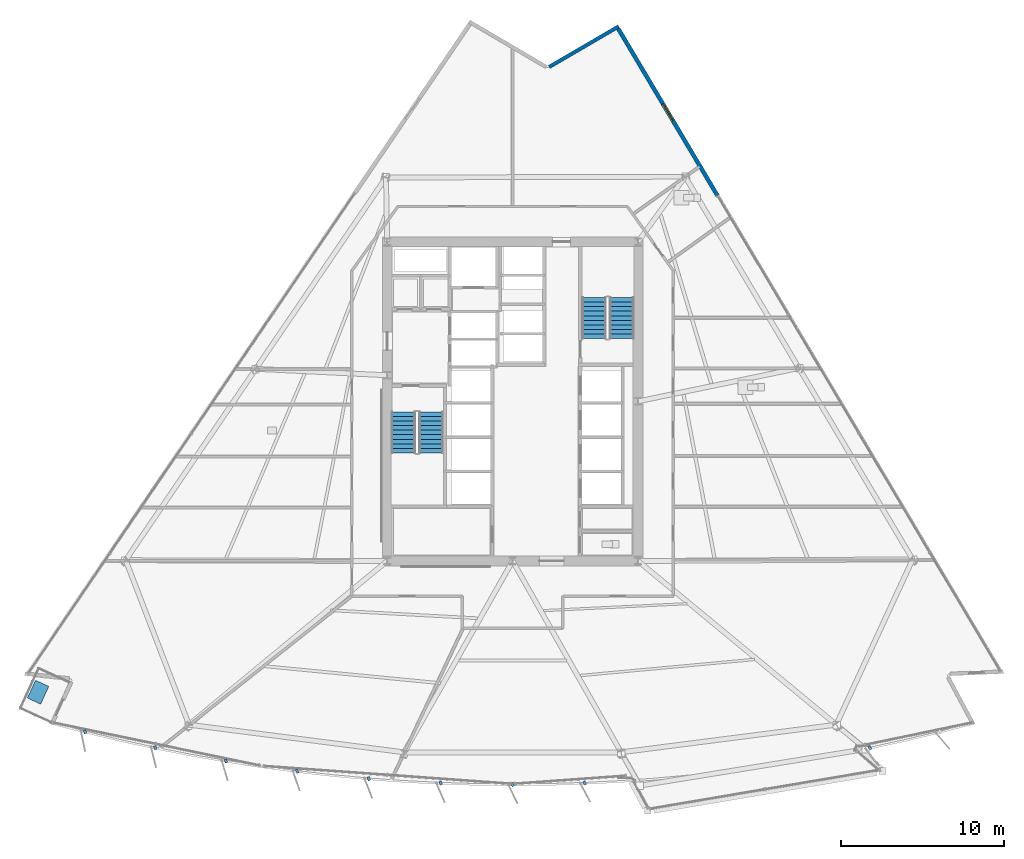
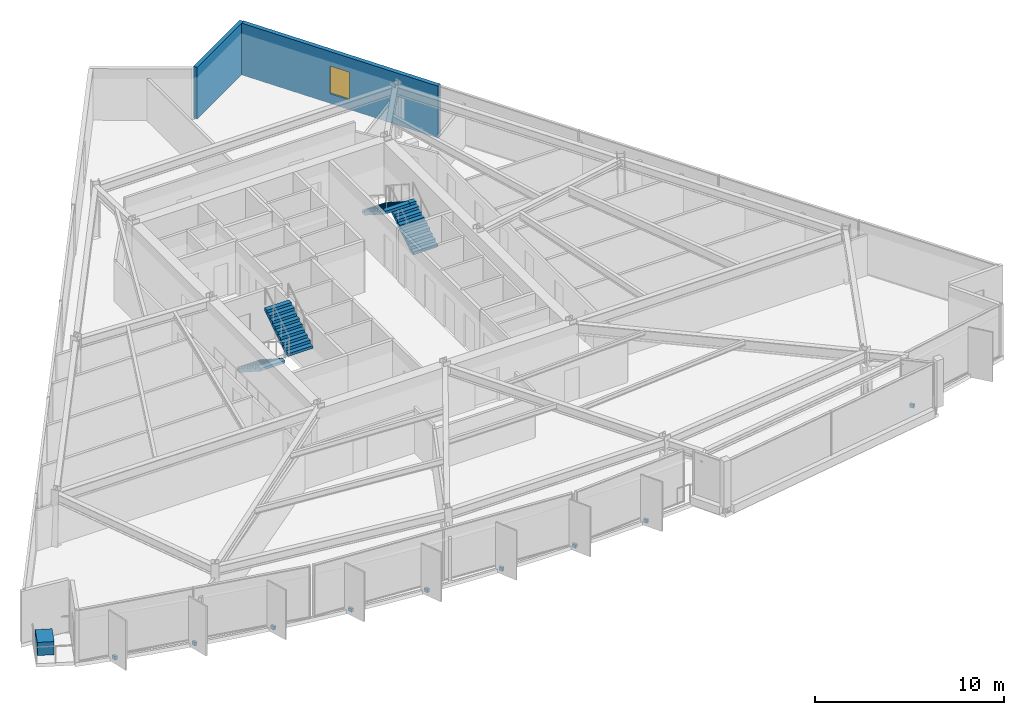
# One storey, part 11 of 18: 10 discrete accessories, 4 stair flights, 2 walls, 1 window, 1 opening, 2 elements without a shape of their own.
"""IFC4 building model written with IfcOpenShell, lengths in metres."""

from ifc_helpers import new_model, si_unit, direction, frame, frame_2d, origin, origin_2d, place, context, subcontext, project, spatial, polyline, rectangle, outline, extrude, material, layer, layer_set, type_object, element, fill, aggregate, save


model = new_model("IFC4")

# Units and contexts
model_context = context("Model", 3, precision=1e-05, world=origin(), true_north=direction((0.0, 1.0)))
body_context = subcontext(model_context, "Body", "Model", "MODEL_VIEW")
ifc_project = project(units=[si_unit("LENGTHUNIT", "METRE"), si_unit("AREAUNIT", "SQUARE_METRE"), si_unit("VOLUMEUNIT", "CUBIC_METRE"), si_unit("PLANEANGLEUNIT", "RADIAN"), si_unit("MASSUNIT", "GRAM", prefix="KILO")], contexts=[model_context])

# Site, building, storey
site_placement = place(None, origin())
site = spatial("IfcSite", under=ifc_project, at=site_placement, CompositionType="ELEMENT")
building_placement = place(site_placement, origin())
building = spatial("IfcBuilding", under=site, at=building_placement, Name="Savorim Split Tower", CompositionType="ELEMENT")
storey_placement = place(building_placement, frame((0.0, 0.0, 48.0)))
storey = spatial("IfcBuildingStorey", under=building, at=storey_placement, Name="L12", CompositionType="ELEMENT", Elevation=48.0)

# Wall
ifc_material_1 = material(Name="Precast concrete C40/50", Category="concrete")
ifc_layer_1 = layer(ifc_material_1, 0.219970703125)
ifc_layer_set_1 = layer_set([ifc_layer_1], Name="WAL-EXT-CRN220")
wall_type_1 = type_object("IfcWallType", Name="WAL-EXT-CRN220", PredefinedType="SOLIDWALL", material=ifc_layer_set_1)
wall_1_placement = place(storey_placement, frame((2.2451171875, 20.9248046875, 0.0), z_axis=(0.0, 0.0, 1.0), x_axis=(0.863967641515, 0.503547330858, 0.0)))
element("IfcWall", 1, at=wall_1_placement, inside=storey, type_object=wall_type_1, Name="L12 Notched Corner Facade Wall NE1", PredefinedType="SOLIDWALL", context=body_context, shape_type="SweptSolid", body=[
    extrude(rectangle(XDim=4.924560546875, YDim=0.219970703125, at=frame_2d((2.46240234375, 0.0))), origin(), (0.0, 0.0, 1.0), 3.35009765625),
])

# Wall, opening, window
ifc_layer_2 = layer(ifc_material_1, 0.25)
ifc_layer_set_2 = layer_set([ifc_layer_2], Name="WAL-EXT-SPN250")
wall_type_2 = type_object("IfcWallType", Name="WAL-EXT-SPN250", PredefinedType="SOLIDWALL", material=ifc_layer_set_2)
wall_2_placement = place(storey_placement, frame((6.483154296875, 23.278076171875, 0.0), z_axis=(0.0, 0.0, 1.0), x_axis=(0.511086421046, -0.859529330635, 0.0)))
wall_2 = element("IfcWall", 2, at=wall_2_placement, inside=storey, type_object=wall_type_2, Name="L12 East Operable Window Pier", PredefinedType="SOLIDWALL", context=body_context, shape_type="SweptSolid", body=[
    extrude(rectangle(XDim=11.93505859375, YDim=0.25, at=frame_2d((5.967529296875, 0.0))), origin(), (0.0, 0.0, 1.0), 3.35009765625),
])
opening_placement = place(wall_2_placement, frame((5.36767578125, 0.0, 0.6201171875)))
opening = element("IfcOpeningElement", 3, at=opening_placement, cuts=wall_2, Name="Opening WN-08", PredefinedType="OPENING", context=body_context, shape_type="SweptSolid", body=[
    extrude(rectangle(XDim=1.199951171875, YDim=1.800048828125, at=frame_2d((0.60009765625, 0.89990234375))), frame((0.0, 0.135009765625, 0.0), z_axis=(0.0, -1.0, 0.0), x_axis=(1.0, 0.0, 0.0)), (0.0, 0.0, 1.0), 0.27001953125),
])
ifc_material_2 = material(Name="Low-E Operable Double Glazing", Category="glass")
window_type = type_object("IfcWindowType", Name="WIN-TWR-1200x1800", PartitioningType="SINGLE_PANEL", PredefinedType="WINDOW", material=ifc_material_2)
window_placement = place(opening_placement, origin())
window = element("IfcWindow", 4, at=window_placement, inside=storey, type_object=window_type, Name="L12 East Operable Ventilation Window", OverallHeight=1.800048828125, OverallWidth=1.199951171875, PartitioningType="SINGLE_PANEL", PredefinedType="WINDOW", context=body_context, shape_type="SweptSolid", body=[
    extrude(rectangle(XDim=1.199951171875, YDim=1.800048828125, at=frame_2d((0.60009765625, 0.89990234375))), frame((0.0, 0.030029296875, 0.0), z_axis=(0.0, -1.0, 0.0), x_axis=(1.0, 0.0, 0.0)), (0.0, 0.0, 1.0), 0.06005859375),
])
fill(opening, window)

# Stair, stair flights
ifc_material_3 = material(Name="Concrete C50/60", Category="concrete")
stair_type = type_object("IfcStairType", Name="STR-DOG-3600", PredefinedType="HALF_TURN_STAIR", material=ifc_material_3)
stair_1_placement = place(storey_placement, origin())
stair_1 = element("IfcStair", 5, at=stair_1_placement, inside=storey, type_object=stair_type, Name="L12 Core Protected Exit Stair ST-1", PredefinedType="HALF_TURN_STAIR")
stair_flight_type = type_object("IfcStairFlightType", Name="SFL-DOG-3600", PredefinedType="STRAIGHT", material=ifc_material_3)
stair_flight_1_placement = place(storey_placement, frame((-6.699951171875, -0.25, 0.0), z_axis=(0.0, 0.0, 1.0), x_axis=(0.0, -1.0, 0.0)))
stair_flight_1 = element("IfcStairFlight", 6, at=stair_flight_1_placement, type_object=stair_flight_type, Name="ST-1 flight 1", NumberOfRisers=10, NumberOfTreads=9, PredefinedType="STRAIGHT", RiserHeight=0.18, TreadLength=0.28, context=body_context, shape_type="SweptSolid", body=[
    extrude(outline(polyline([(0.0, 0.0), (0.0, 0.179931640625), (0.280029296875, 0.179931640625), (0.280029296875, 0.360107421875), (0.56005859375, 0.360107421875), (0.56005859375, 0.5400390625), (0.840087890625, 0.5400390625), (0.840087890625, 0.719970703125), (1.1201171875, 0.719970703125), (1.1201171875, 0.89990234375), (1.39990234375, 0.89990234375), (1.39990234375, 1.080078125), (1.679931640625, 1.080078125), (1.679931640625, 1.260009765625), (1.9599609375, 1.260009765625), (1.9599609375, 1.43994140625), (2.239990234375, 1.43994140625), (2.239990234375, 1.6201171875), (2.52001953125, 1.6201171875), (2.52001953125, 1.800048828125), (2.52001953125, 1.44189453125), (0.277099609375, 0.0), (0.0, 0.0)])), frame((0.0, 0.75, 0.0), z_axis=(0.0, -1.0, 0.0), x_axis=(1.0, 0.0, 0.0)), (0.0, 0.0, 1.0), 1.5),
])
stair_flight_2_placement = place(storey_placement, frame((-5.0, -2.77001953125, 1.800048828125), z_axis=(0.0, 0.0, 1.0), x_axis=(0.0, 1.0, 0.0)))
stair_flight_2 = element("IfcStairFlight", 7, at=stair_flight_2_placement, type_object=stair_flight_type, Name="ST-1 flight 2", NumberOfRisers=10, NumberOfTreads=9, PredefinedType="STRAIGHT", RiserHeight=0.18, TreadLength=0.28, context=body_context, shape_type="SweptSolid", body=[
    extrude(outline(polyline([(0.0, 0.0), (0.0, 0.179931640625), (0.280029296875, 0.179931640625), (0.280029296875, 0.360107421875), (0.56005859375, 0.360107421875), (0.56005859375, 0.5400390625), (0.840087890625, 0.5400390625), (0.840087890625, 0.719970703125), (1.1201171875, 0.719970703125), (1.1201171875, 0.89990234375), (1.39990234375, 0.89990234375), (1.39990234375, 1.080078125), (1.679931640625, 1.080078125), (1.679931640625, 1.260009765625), (1.9599609375, 1.260009765625), (1.9599609375, 1.43994140625), (2.239990234375, 1.43994140625), (2.239990234375, 1.6201171875), (2.52001953125, 1.6201171875), (2.52001953125, 1.800048828125), (2.52001953125, 1.44189453125), (0.277099609375, 0.0), (0.0, 0.0)])), frame((0.0, 0.75, 0.0), z_axis=(0.0, -1.0, 0.0), x_axis=(1.0, 0.0, 0.0)), (0.0, 0.0, 1.0), 1.5),
])
aggregate(stair_1, [stair_flight_1, stair_flight_2])

stair_2_placement = place(storey_placement, origin())
stair_2 = element("IfcStair", 8, at=stair_2_placement, inside=storey, type_object=stair_type, Name="L12 Core Protected Exit Stair ST-2", PredefinedType="HALF_TURN_STAIR")
stair_flight_3_placement = place(storey_placement, frame((6.699951171875, 4.25, 0.0), z_axis=(0.0, 0.0, 1.0), x_axis=(0.0, 1.0, 0.0)))
stair_flight_3 = element("IfcStairFlight", 9, at=stair_flight_3_placement, type_object=stair_flight_type, Name="ST-2 flight 1", NumberOfRisers=10, NumberOfTreads=9, PredefinedType="STRAIGHT", RiserHeight=0.18, TreadLength=0.28, context=body_context, shape_type="SweptSolid", body=[
    extrude(outline(polyline([(0.0, 0.0), (0.0, 0.179931640625), (0.280029296875, 0.179931640625), (0.280029296875, 0.360107421875), (0.56005859375, 0.360107421875), (0.56005859375, 0.5400390625), (0.840087890625, 0.5400390625), (0.840087890625, 0.719970703125), (1.1201171875, 0.719970703125), (1.1201171875, 0.89990234375), (1.39990234375, 0.89990234375), (1.39990234375, 1.080078125), (1.679931640625, 1.080078125), (1.679931640625, 1.260009765625), (1.9599609375, 1.260009765625), (1.9599609375, 1.43994140625), (2.239990234375, 1.43994140625), (2.239990234375, 1.6201171875), (2.52001953125, 1.6201171875), (2.52001953125, 1.800048828125), (2.52001953125, 1.44189453125), (0.277099609375, 0.0), (0.0, 0.0)])), frame((0.0, 0.75, 0.0), z_axis=(0.0, -1.0, 0.0), x_axis=(1.0, 0.0, 0.0)), (0.0, 0.0, 1.0), 1.5),
])
stair_flight_4_placement = place(storey_placement, frame((5.0, 6.77001953125, 1.800048828125), z_axis=(0.0, 0.0, 1.0), x_axis=(0.0, -1.0, 0.0)))
stair_flight_4 = element("IfcStairFlight", 10, at=stair_flight_4_placement, type_object=stair_flight_type, Name="ST-2 flight 2", NumberOfRisers=10, NumberOfTreads=9, PredefinedType="STRAIGHT", RiserHeight=0.18, TreadLength=0.28, context=body_context, shape_type="SweptSolid", body=[
    extrude(outline(polyline([(0.0, 0.0), (0.0, 0.179931640625), (0.280029296875, 0.179931640625), (0.280029296875, 0.360107421875), (0.56005859375, 0.360107421875), (0.56005859375, 0.5400390625), (0.840087890625, 0.5400390625), (0.840087890625, 0.719970703125), (1.1201171875, 0.719970703125), (1.1201171875, 0.89990234375), (1.39990234375, 0.89990234375), (1.39990234375, 1.080078125), (1.679931640625, 1.080078125), (1.679931640625, 1.260009765625), (1.9599609375, 1.260009765625), (1.9599609375, 1.43994140625), (2.239990234375, 1.43994140625), (2.239990234375, 1.6201171875), (2.52001953125, 1.6201171875), (2.52001953125, 1.800048828125), (2.52001953125, 1.44189453125), (0.277099609375, 0.0), (0.0, 0.0)])), frame((0.0, 0.75, 0.0), z_axis=(0.0, -1.0, 0.0), x_axis=(1.0, 0.0, 0.0)), (0.0, 0.0, 1.0), 1.5),
])
aggregate(stair_2, [stair_flight_3, stair_flight_4])

# Discrete accessories
ifc_material_4 = material(Name="Steel S355", Category="steel")
discrete_accessory_type_1 = type_object("IfcDiscreteAccessoryType", Name="ACC-BRK-FIN", PredefinedType="BRACKET", material=ifc_material_4)
for number, where, z_axis, x_axis, name in (
    (11, (-26.241943359375, -19.881591796875, -0.18994140625), (0.0, 0.0, 1.0), (0.206721626106, -0.978399800337, 0.0), "L12 Fin Slab-Edge Cleat Bracket 01"),
    (12, (-21.935791015625, -20.86767578125, -0.18994140625), (0.0, 0.0, 1.0), (0.246581250663, -0.969122121727, 0.0), "L12 Fin Slab-Edge Cleat Bracket 02"),
    (13, (-17.593017578125, -21.6767578125, -0.18994140625), (0.0, 0.0, 1.0), (0.286026212504, -0.958221793616, 0.0), "L12 Fin Slab-Edge Cleat Bracket 03"),
    (14, (-13.220458984375, -22.307373046875, -0.18994140625), (0.0, 0.0, 1.0), (0.324993810493, -0.945716143005, 0.0), "L12 Fin Slab-Edge Cleat Bracket 04"),
    (15, (-8.825927734375, -22.758544921875, -0.18994140625), (0.0, 0.0, 1.0), (0.363415461732, -0.931627179817, 0.0), "L12 Fin Slab-Edge Cleat Bracket 05"),
    (16, (-4.416748046875, -23.029541015625, -0.18994140625), (0.0, 0.0, 1.0), (0.401230091723, -0.915977299662, 0.0), "L12 Fin Slab-Edge Cleat Bracket 06"),
    (17, (0.0, -23.1201171875, -0.18994140625), (0.0, 0.0, 1.0), (0.438371146789, -0.898794046299, 0.0), "L12 Fin Slab-Edge Cleat Bracket 07"),
    (18, (4.416748046875, -23.029541015625, -0.18994140625), (0.0, 0.0, 1.0), (0.474778051978, -0.880105562623, 0.0), "L12 Fin Slab-Edge Cleat Bracket 08"),
    (19, (21.935791015625, -20.86767578125, -0.18994140625), (0.0, 0.0, 1.0), (0.611868076908, -0.790959832394, 0.0), "L12 Fin Slab-Edge Cleat Bracket 12"),
):
    element("IfcDiscreteAccessory", number, at=place(storey_placement, frame(where, z_axis=z_axis, x_axis=x_axis)), inside=storey, type_object=discrete_accessory_type_1, Name=name, PredefinedType="BRACKET", context=body_context, shape_type="SweptSolid", body=[
        extrude(rectangle(XDim=0.239990234375, YDim=0.159912109375, at=origin_2d()), origin(), (0.0, 0.0, 1.0), 0.219970703125),
    ])
ifc_material_5 = material(Name="Architectural Precast Planter Concrete C40/50", Category="concrete")
discrete_accessory_type_2 = type_object("IfcDiscreteAccessoryType", Name="ACC-PLN-TREE", PredefinedType="USERDEFINED", material=ifc_material_5)
discrete_accessory_placement = place(storey_placement, frame((-29.123779296875, -17.454345703125, 0.0), z_axis=(0.0, 0.0, 1.0), x_axis=(-0.417500755647, -0.908676575594, 0.0)))
element("IfcDiscreteAccessory", 20, at=discrete_accessory_placement, inside=storey, type_object=discrete_accessory_type_2, Name="L12 Balcony Precast Tree Planter SW", ObjectType="PLANTER", PredefinedType="USERDEFINED", context=body_context, shape_type="SweptSolid", body=[
    extrude(rectangle(XDim=1.199951171875, YDim=0.89990234375, at=origin_2d()), origin(), (0.0, 0.0, 1.0), 0.85009765625),
])

save(model, "model.ifc")
